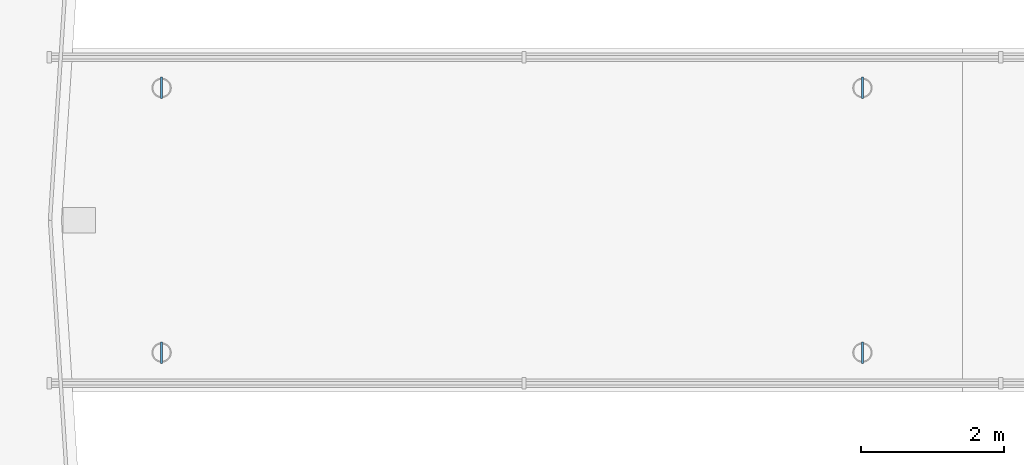
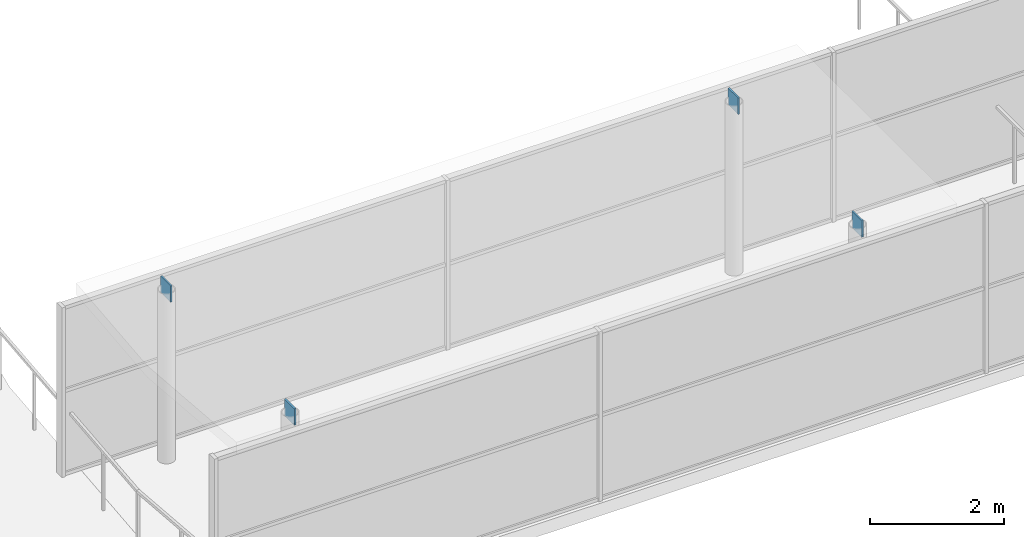
# One storey, part 32 of 53: 4 plates.
"""IFC4 building model written with IfcOpenShell, lengths in metres."""

import ifcopenshell
import ifcopenshell.guid

model = None  # the IFC model being written
_history = None  # IfcOwnerHistory: only IFC2X3 demands one
_inside = {}  # id of a spatial element -> (the spatial element, [elements in it])
_under = {}  # id of a project, library or spatial element -> (it, [spatial elements below it])
_declared = {}  # id of a project -> (the project, [libraries it declares])
_typed = {}  # id of a type object -> (the type object, [elements of that type])
_made_of = {}  # id of a material, layer set ... -> (it, [elements and type objects made of it])


def new_model(schema):
    """Start an empty IFC model of exactly this schema.

    Asked for "IFC4X3", IfcOpenShell would pick the latest addendum, in which some entities
    have other attributes; the version numbers below select the first issue.
    IFC2X3 requires an IfcOwnerHistory on every rooted entity: one is made here for all.
    """
    global model, _history
    if schema == "IFC4X3":
        model = ifcopenshell.file(schema_version=(4, 3, 0, 0))
    else:
        model = ifcopenshell.file(schema=schema)
    _inside.clear()
    _under.clear()
    _declared.clear()
    _typed.clear()
    _made_of.clear()
    _history = None
    if model.schema == "IFC2X3":
        org = make("IfcOrganization", Name="unknown")
        user = make(
            "IfcPersonAndOrganization",
            ThePerson=make("IfcPerson", FamilyName="unknown"),
            TheOrganization=org,
        )
        app = make(
            "IfcApplication",
            ApplicationDeveloper=org,
            Version="unknown",
            ApplicationFullName="unknown",
            ApplicationIdentifier="unknown",
        )
        _history = make(
            "IfcOwnerHistory",
            OwningUser=user,
            OwningApplication=app,
            ChangeAction="ADDED",
            CreationDate=0,
        )
    return model


def make(cls, **values):
    """One entity of the class cls with the attributes given. An attribute that is None is left unset."""
    return model.create_entity(
        cls, **{name: value for name, value in values.items() if value is not None}
    )


def rooted(cls, **values):
    """An entity with a GlobalId (a new one), such as an element, a storey or a relation."""
    return make(cls, GlobalId=ifcopenshell.guid.new(), OwnerHistory=_history, **values)


def si_unit(unit_type, name, prefix=None):
    """IfcSIUnit, for example si_unit("LENGTHUNIT", "METRE", prefix="MILLI")."""
    return make("IfcSIUnit", UnitType=unit_type, Prefix=prefix, Name=name)


def assignment(units):
    """IfcUnitAssignment: the units of a project."""
    return None if units is None else make("IfcUnitAssignment", Units=units)


def point(xyz):
    """IfcCartesianPoint."""
    return None if xyz is None else make("IfcCartesianPoint", Coordinates=xyz)


def direction(xyz):
    """IfcDirection."""
    return None if xyz is None else make("IfcDirection", DirectionRatios=xyz)


def frame(location, z_axis=None, x_axis=None):
    """IfcAxis2Placement3D, a coordinate frame: its origin and axes. An axis left out is left unset."""
    return make(
        "IfcAxis2Placement3D",
        Location=point(location),
        Axis=direction(z_axis),
        RefDirection=direction(x_axis),
    )


def frame_2d(location, x_axis=None):
    """IfcAxis2Placement2D, a coordinate frame in the plane: its origin and x axis."""
    return make(
        "IfcAxis2Placement2D", Location=point(location), RefDirection=direction(x_axis)
    )


def origin():
    """The frame at (0, 0, 0) with its axes left unset."""
    return frame((0.0, 0.0, 0.0))


def origin_2d():
    """The frame at (0, 0) in the plane with its x axis left unset."""
    return frame_2d((0.0, 0.0))


def place(relative_to, where):
    """IfcLocalPlacement: puts the frame where relative to a parent placement (None: the world)."""
    return make(
        "IfcLocalPlacement", PlacementRelTo=relative_to, RelativePlacement=where
    )


def context(
    kind, dimensions, precision=None, world=None, true_north=None, identifier=None
):
    """IfcGeometricRepresentationContext, for example the 3D "Model" context."""
    return make(
        "IfcGeometricRepresentationContext",
        ContextIdentifier=identifier,
        ContextType=kind,
        CoordinateSpaceDimension=dimensions,
        Precision=precision,
        WorldCoordinateSystem=world,
        TrueNorth=true_north,
    )


def subcontext(parent, identifier, kind, view, scale=None):
    """IfcGeometricRepresentationSubContext, for example "Body" below "Model"."""
    return make(
        "IfcGeometricRepresentationSubContext",
        ContextIdentifier=identifier,
        ContextType=kind,
        ParentContext=parent,
        TargetScale=scale,
        TargetView=view,
    )


def project(units=None, contexts=None):
    """IfcProject with its units and contexts."""
    return rooted(
        "IfcProject",
        Name="project",
        RepresentationContexts=contexts,
        UnitsInContext=assignment(units),
    )


def spatial(cls, under=None, at=None, **own):
    """A site, building, storey or space (cls), placed at a placement, below another one or the project."""
    s = rooted(cls, ObjectPlacement=at, **own)
    if under is not None:
        _under.setdefault(under.id(), (under, []))[1].append(s)
    return s


def profile(cls, at=None, kind="AREA", **sizes):
    """A parametric profile (cls). Its sizes go by their IFC names, for example OverallWidth=200.0."""
    return make(cls, ProfileType=kind, Position=at, **sizes)


def rectangle(**sizes):
    """IfcRectangleProfileDef."""
    return profile("IfcRectangleProfileDef", **sizes)


def extrude(swept, where, along, depth):
    """IfcExtrudedAreaSolid: the profile swept, set in the frame where, extruded along a direction by depth."""
    return make(
        "IfcExtrudedAreaSolid",
        SweptArea=swept,
        Position=where,
        ExtrudedDirection=direction(along),
        Depth=depth,
    )


def shape(context_of_items, identifier, shape_type, items):
    """IfcShapeRepresentation: the items that make up one representation, for example the "Body"."""
    return make(
        "IfcShapeRepresentation",
        ContextOfItems=context_of_items,
        RepresentationIdentifier=identifier,
        RepresentationType=shape_type,
        Items=items,
    )


def material(Name=None, Category=None):
    """IfcMaterial."""
    return make("IfcMaterial", Name=Name, Category=Category)


def layer(
    of_material, thickness, ventilated=None, Name=None, Category=None, Priority=None
):
    """IfcMaterialLayer: one layer of a wall or slab, of a material (None: an air gap)."""
    return make(
        "IfcMaterialLayer",
        Material=of_material,
        LayerThickness=thickness,
        IsVentilated=ventilated,
        Name=Name,
        Category=Category,
        Priority=Priority,
    )


def layer_set(layers, Name=None):
    """IfcMaterialLayerSet."""
    return make("IfcMaterialLayerSet", MaterialLayers=layers, LayerSetName=Name)


def made_of(thing, what):
    """Note that an element or type object is made of a material, layer set ...; save() writes the relation."""
    if what is not None:
        _made_of.setdefault(what.id(), (what, []))[1].append(thing)
    return thing


def type_object(cls, material=None, **own):
    """A type object (cls), such as IfcWallType, which elements share."""
    return made_of(rooted(cls, **own), material)


def element(
    cls,
    number,
    at=None,
    inside=None,
    cuts=None,
    type_object=None,
    material=None,
    context=None,
    identifier="Body",
    shape_type=None,
    held_by="IfcProductDefinitionShape",
    body=None,
    shapes=None,
    **own,
):
    """One element of the class cls, such as IfcWall. Its Tag is "e" and its number.

    at: its placement. inside: the storey or other place that contains it. cuts: it is an
    opening in that element (IfcRelVoidsElement). A single representation is given by context,
    identifier, shape_type and body (its items); several are given by shapes. held_by: the class
    of the entity that holds the representations. save() writes the other relations.
    """
    e = rooted(cls, Tag="e%d" % number, ObjectPlacement=at, **own)
    if body is not None:
        shapes = [shape(context, identifier, shape_type, body)]
    if shapes is not None:
        e.Representation = make(held_by, Representations=shapes)
    if inside is not None:
        _inside.setdefault(inside.id(), (inside, []))[1].append(e)
    if cuts is not None:
        rooted(
            "IfcRelVoidsElement", RelatingBuildingElement=cuts, RelatedOpeningElement=e
        )
    if type_object is not None:
        _typed.setdefault(type_object.id(), (type_object, []))[1].append(e)
    return made_of(e, material)


def aggregate(whole, parts):
    """IfcRelAggregates: a whole, such as a stair, and the parts it consists of."""
    return rooted("IfcRelAggregates", RelatingObject=whole, RelatedObjects=parts)


def save(model, path):
    """Write the relations noted so far, then the file.

    IfcRelAggregates (storeys below a building ...), IfcRelContainedInSpatialStructure (elements
    in a storey), IfcRelDefinesByType, IfcRelAssociatesMaterial and IfcRelDeclares: one each for
    every whole, place, type object, material and project.
    """
    for whole, parts in _under.values():
        aggregate(whole, parts)
    for where, things in _inside.values():
        rooted(
            "IfcRelContainedInSpatialStructure",
            RelatedElements=things,
            RelatingStructure=where,
        )
    for kind, things in _typed.values():
        rooted("IfcRelDefinesByType", RelatedObjects=things, RelatingType=kind)
    for what, things in _made_of.values():
        rooted("IfcRelAssociatesMaterial", RelatedObjects=things, RelatingMaterial=what)
    for by, libraries in _declared.values():
        rooted("IfcRelDeclares", RelatingContext=by, RelatedDefinitions=libraries)
    model.write(path)


model = new_model("IFC4")

# Units and contexts
model_context = context("Model", 3, precision=1e-05, world=origin(), true_north=direction((0.0, 1.0)))
body_context = subcontext(model_context, "Body", "Model", "MODEL_VIEW")
ifc_project = project(units=[si_unit("LENGTHUNIT", "METRE"), si_unit("AREAUNIT", "SQUARE_METRE"), si_unit("VOLUMEUNIT", "CUBIC_METRE"), si_unit("PLANEANGLEUNIT", "RADIAN"), si_unit("MASSUNIT", "GRAM", prefix="KILO")], contexts=[model_context])

# Site, building, storey
site_placement = place(None, origin())
site = spatial("IfcSite", under=ifc_project, at=site_placement, CompositionType="ELEMENT")
building_placement = place(site_placement, origin())
building = spatial("IfcBuilding", under=site, at=building_placement, Name="Saryqyr Civic Hall", CompositionType="ELEMENT")
storey_placement = place(building_placement, frame((0.0, 0.0, 21.300048828125)))
storey = spatial("IfcBuildingStorey", under=building, at=storey_placement, Name="L05", CompositionType="ELEMENT", Elevation=21.300048828125)

# Plates
ifc_material = material(Name="Steel S355", Category="steel")
ifc_layer = layer(ifc_material, 0.028076171875, Name="Steel S355")
ifc_layer_set = layer_set([ifc_layer], Name="Steel S355")
plate_type = type_object("IfcPlateType", Name="STR-PLT-CAP28", PredefinedType="USERDEFINED", material=ifc_layer_set)
for number, where, z_axis, x_axis, name in (
    (1, (22.800048828125, 82.14990234375, 2.94970703125), (0.0, 0.0, 1.0), (1.0, 0.0, 0.0), "Hollow section end cap BRCOLCAP-BR-CW-1"),
    (2, (32.60009765625, 82.14990234375, 2.94970703125), (0.0, 0.0, 1.0), (1.0, 0.0, 0.0), "Hollow section end cap BRCOLCAP-BR-CW-2"),
    (3, (32.60009765625, 85.85009765625, 2.94970703125), (0.0, 0.0, 1.0), (1.0, 0.0, 0.0), "Hollow section end cap BRCOLCAP-BR-CW-3"),
    (4, (22.800048828125, 85.85009765625, 2.94970703125), (0.0, 0.0, 1.0), (1.0, 0.0, 0.0), "Hollow section end cap BRCOLCAP-BR-CW-4"),
):
    element("IfcPlate", number, at=place(storey_placement, frame(where, z_axis=z_axis, x_axis=x_axis)), inside=storey, type_object=plate_type, Name=name, ObjectType="FLANGE_PLATE", PredefinedType="USERDEFINED", context=body_context, shape_type="SweptSolid", body=[
        extrude(rectangle(XDim=0.028076171875, YDim=0.300048828125, at=origin_2d()), origin(), (0.0, 0.0, 1.0), 0.300048828125),
    ])

save(model, "model.ifc")
